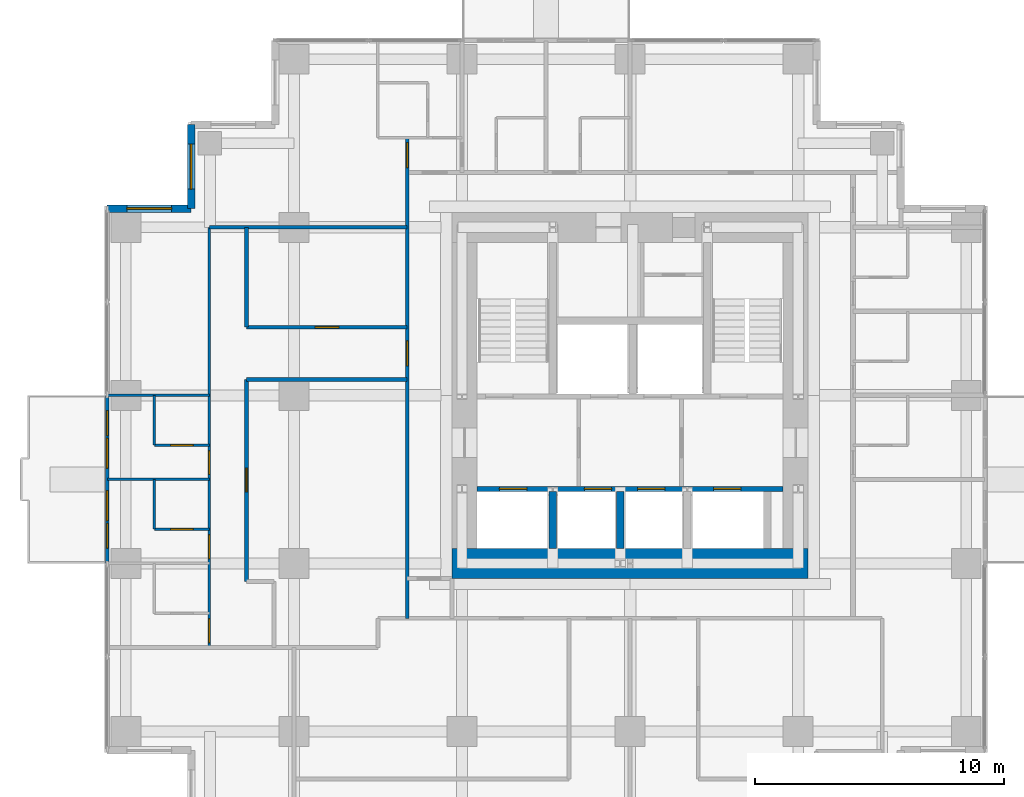
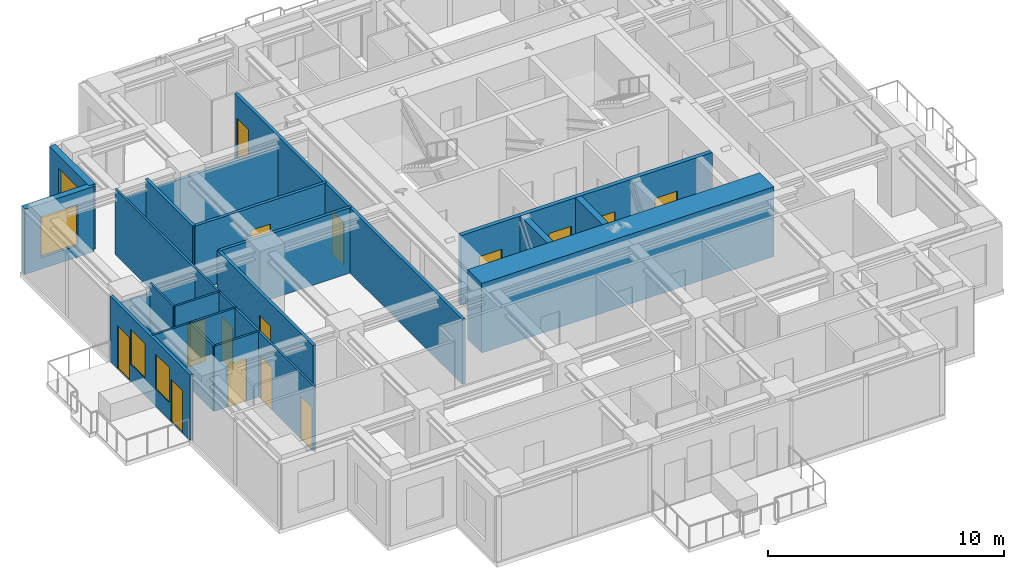
# One storey, part 6 of 10: 20 walls, 15 doors, 4 windows, 19 openings.
"""IFC4 building model written with IfcOpenShell, lengths in metres."""

from ifc_helpers import new_model, si_unit, direction, frame, frame_2d, origin, place, context, subcontext, project, spatial, rectangle, extrude, material, layer, layer_set, type_object, element, fill, save


model = new_model("IFC4")

# Units and contexts
model_context = context("Model", 3, precision=1e-05, world=origin(), true_north=direction((0.0, 1.0)))
body_context = subcontext(model_context, "Body", "Model", "MODEL_VIEW")
ifc_project = project(units=[si_unit("LENGTHUNIT", "METRE"), si_unit("AREAUNIT", "SQUARE_METRE"), si_unit("VOLUMEUNIT", "CUBIC_METRE"), si_unit("PLANEANGLEUNIT", "RADIAN"), si_unit("MASSUNIT", "GRAM", prefix="KILO")], contexts=[model_context])

# Site, building, storey
site_placement = place(None, origin())
site = spatial("IfcSite", under=ifc_project, at=site_placement, CompositionType="ELEMENT")
building_placement = place(site_placement, origin())
building = spatial("IfcBuilding", under=site, at=building_placement, Name="Nyansa Garden Tower", CompositionType="ELEMENT")
storey_placement = place(building_placement, frame((0.0, 0.0, 192.60009765625)))
storey = spatial("IfcBuildingStorey", under=building, at=storey_placement, Name="L52", CompositionType="ELEMENT", Elevation=192.60009765625)

# Wall, openings, doors, windows
ifc_material_1 = material(Name="Black aluminium framed glazed screen", Category="aluminium")
ifc_layer_1 = layer(ifc_material_1, 0.14990234375)
ifc_layer_set_1 = layer_set([ifc_layer_1], Name="Balcony screen wall BW150")
wall_type_1 = type_object("IfcWallType", Name="Balcony screen wall BW150", PredefinedType="SOLIDWALL", material=ifc_layer_set_1)
wall_1_placement = place(storey_placement, frame((-0.75, 13.5, 0.0), z_axis=(0.0, 0.0, 1.0), x_axis=(0.0, 1.0, 0.0)))
wall_1 = element("IfcWall", 1, at=wall_1_placement, inside=storey, type_object=wall_type_1, Name="Glazed screen wall L52 W", PredefinedType="SOLIDWALL", context=body_context, shape_type="SweptSolid", body=[
    extrude(rectangle(XDim=6.75, YDim=0.14990234375, at=frame_2d((3.375, 0.0))), origin(), (0.0, 0.0, 1.0), 3.375),
])
opening_1_placement = place(wall_1_placement, frame((0.612548828125, 0.0, 0.0)))
opening_1 = element("IfcOpeningElement", 2, at=opening_1_placement, cuts=wall_1, Name="Opening D20", PredefinedType="OPENING", context=body_context, shape_type="SweptSolid", body=[
    extrude(rectangle(XDim=1.0, YDim=2.199951171875, at=frame_2d((0.5, 1.10009765625))), frame((0.0, 0.0849609375, 0.0), z_axis=(0.0, -1.0, 0.0), x_axis=(1.0, 0.0, 0.0)), (0.0, 0.0, 1.0), 0.169921875),
])
opening_2_placement = place(wall_1_placement, frame((1.72509765625, 0.0, 0.89990234375)))
opening_2 = element("IfcOpeningElement", 3, at=opening_2_placement, cuts=wall_1, Name="Opening W6", PredefinedType="OPENING", context=body_context, shape_type="SweptSolid", body=[
    extrude(rectangle(XDim=1.199951171875, YDim=1.800048828125, at=frame_2d((0.60009765625, 0.89990234375))), frame((0.0, 0.0849609375, 0.0), z_axis=(0.0, -1.0, 0.0), x_axis=(1.0, 0.0, 0.0)), (0.0, 0.0, 1.0), 0.169921875),
])
opening_3_placement = place(wall_1_placement, frame((5.137451171875, 0.0, 0.0)))
opening_3 = element("IfcOpeningElement", 4, at=opening_3_placement, cuts=wall_1, Name="Opening D20", PredefinedType="OPENING", context=body_context, shape_type="SweptSolid", body=[
    extrude(rectangle(XDim=1.0, YDim=2.199951171875, at=frame_2d((0.5, 1.10009765625))), frame((0.0, 0.0849609375, 0.0), z_axis=(0.0, -1.0, 0.0), x_axis=(1.0, 0.0, 0.0)), (0.0, 0.0, 1.0), 0.169921875),
])
opening_4_placement = place(wall_1_placement, frame((3.824951171875, 0.0, 0.89990234375)))
opening_4 = element("IfcOpeningElement", 5, at=opening_4_placement, cuts=wall_1, Name="Opening W6", PredefinedType="OPENING", context=body_context, shape_type="SweptSolid", body=[
    extrude(rectangle(XDim=1.199951171875, YDim=1.800048828125, at=frame_2d((0.60009765625, 0.89990234375))), frame((0.0, 0.0849609375, 0.0), z_axis=(0.0, -1.0, 0.0), x_axis=(1.0, 0.0, 0.0)), (0.0, 0.0, 1.0), 0.169921875),
])
ifc_material_2 = material(Name="Black aluminium framed glazed door", Category="aluminium")
door_type_1 = type_object("IfcDoorType", Name="Balcony door D20 1000x2200", OperationType="NOTDEFINED", PredefinedType="DOOR", material=ifc_material_2)
door_1_placement = place(opening_1_placement, origin())
door_1 = element("IfcDoor", 6, at=door_1_placement, inside=storey, type_object=door_type_1, Name="Balcony door L52", OperationType="SINGLE_SWING_LEFT", OverallHeight=2.199951171875, OverallWidth=1.0, PredefinedType="DOOR", context=body_context, shape_type="SweptSolid", body=[
    extrude(rectangle(XDim=1.0, YDim=2.199951171875, at=frame_2d((0.5, 1.10009765625))), frame((0.0, 0.02490234375, 0.0), z_axis=(0.0, -1.0, 0.0), x_axis=(1.0, 0.0, 0.0)), (0.0, 0.0, 1.0), 0.050048828125),
])
fill(opening_1, door_1)
door_2_placement = place(opening_3_placement, origin())
door_2 = element("IfcDoor", 7, at=door_2_placement, inside=storey, type_object=door_type_1, Name="Balcony door L52", OperationType="SINGLE_SWING_RIGHT", OverallHeight=2.199951171875, OverallWidth=1.0, PredefinedType="DOOR", context=body_context, shape_type="SweptSolid", body=[
    extrude(rectangle(XDim=1.0, YDim=2.199951171875, at=frame_2d((0.5, 1.10009765625))), frame((0.0, 0.02490234375, 0.0), z_axis=(0.0, -1.0, 0.0), x_axis=(1.0, 0.0, 0.0)), (0.0, 0.0, 1.0), 0.050048828125),
])
fill(opening_3, door_2)
ifc_material_3 = material(Name="Black aluminium frame, dark tinted double glazing", Category="aluminium")
window_type_1 = type_object("IfcWindowType", Name="Balcony window W6 1200x1800", PartitioningType="SINGLE_PANEL", PredefinedType="WINDOW", material=ifc_material_3)
window_1_placement = place(opening_2_placement, origin())
window_1 = element("IfcWindow", 8, at=window_1_placement, inside=storey, type_object=window_type_1, Name="Window L52", OverallHeight=1.800048828125, OverallWidth=1.199951171875, PartitioningType="SINGLE_PANEL", PredefinedType="WINDOW", context=body_context, shape_type="SweptSolid", body=[
    extrude(rectangle(XDim=1.199951171875, YDim=1.800048828125, at=frame_2d((0.60009765625, 0.89990234375))), frame((0.0, 0.030029296875, 0.0), z_axis=(0.0, -1.0, 0.0), x_axis=(1.0, 0.0, 0.0)), (0.0, 0.0, 1.0), 0.06005859375),
])
fill(opening_2, window_1)
window_2_placement = place(opening_4_placement, origin())
window_2 = element("IfcWindow", 9, at=window_2_placement, inside=storey, type_object=window_type_1, Name="Window L52", OverallHeight=1.800048828125, OverallWidth=1.199951171875, PartitioningType="SINGLE_PANEL", PredefinedType="WINDOW", context=body_context, shape_type="SweptSolid", body=[
    extrude(rectangle(XDim=1.199951171875, YDim=1.800048828125, at=frame_2d((0.60009765625, 0.89990234375))), frame((0.0, 0.030029296875, 0.0), z_axis=(0.0, -1.0, 0.0), x_axis=(1.0, 0.0, 0.0)), (0.0, 0.0, 1.0), 0.06005859375),
])
fill(opening_4, window_2)

# Wall, openings, doors
ifc_material_4 = material(Name="Concrete C70/85", Category="concrete")
ifc_layer_2 = layer(ifc_material_4, 0.199951171875)
ifc_layer_set_2 = layer_set([ifc_layer_2], Name="Core inner wall CI200")
wall_type_2 = type_object("IfcWallType", Name="Core inner wall CI200", PredefinedType="SHEAR", material=ifc_layer_set_2)
wall_2_placement = place(storey_placement, frame((14.10009765625, 16.5, 0.0), z_axis=(0.0, 0.0, 1.0), x_axis=(1.0, 0.0, 0.0)))
wall_2 = element("IfcWall", 10, at=wall_2_placement, inside=storey, type_object=wall_type_2, Name="Core inner wall L52", PredefinedType="SHEAR", context=body_context, shape_type="SweptSolid", body=[
    extrude(rectangle(XDim=12.2998046875, YDim=0.199951171875, at=frame_2d((6.14990234375, 0.0))), origin(), (0.0, 0.0, 1.0), 3.599853515625),
])
opening_5_placement = place(wall_2_placement, frame((0.89990234375, 0.0, 0.0)))
opening_5 = element("IfcOpeningElement", 11, at=opening_5_placement, cuts=wall_2, Name="Opening LD-F", PredefinedType="OPENING", context=body_context, shape_type="SweptSolid", body=[
    extrude(rectangle(XDim=1.10009765625, YDim=2.199951171875, at=frame_2d((0.550048828125, 1.10009765625))), frame((0.0, 0.10986328125, 0.0), z_axis=(0.0, -1.0, 0.0), x_axis=(1.0, 0.0, 0.0)), (0.0, 0.0, 1.0), 0.219970703125),
])
opening_6_placement = place(wall_2_placement, frame((4.31005859375, 0.0, 0.0)))
opening_6 = element("IfcOpeningElement", 12, at=opening_6_placement, cuts=wall_2, Name="Opening LD-B", PredefinedType="OPENING", context=body_context, shape_type="SweptSolid", body=[
    extrude(rectangle(XDim=1.10009765625, YDim=2.199951171875, at=frame_2d((0.550048828125, 1.10009765625))), frame((0.0, 0.10986328125, 0.0), z_axis=(0.0, -1.0, 0.0), x_axis=(1.0, 0.0, 0.0)), (0.0, 0.0, 1.0), 0.219970703125),
])
opening_7_placement = place(wall_2_placement, frame((6.449951171875, 0.0, 0.0)))
opening_7 = element("IfcOpeningElement", 13, at=opening_7_placement, cuts=wall_2, Name="Opening LD-B", PredefinedType="OPENING", context=body_context, shape_type="SweptSolid", body=[
    extrude(rectangle(XDim=1.10009765625, YDim=2.199951171875, at=frame_2d((0.550048828125, 1.10009765625))), frame((0.0, 0.10986328125, 0.0), z_axis=(0.0, -1.0, 0.0), x_axis=(1.0, 0.0, 0.0)), (0.0, 0.0, 1.0), 0.219970703125),
])
opening_8_placement = place(wall_2_placement, frame((9.5, 0.0, 0.0)))
opening_8 = element("IfcOpeningElement", 14, at=opening_8_placement, cuts=wall_2, Name="Opening LD-F", PredefinedType="OPENING", context=body_context, shape_type="SweptSolid", body=[
    extrude(rectangle(XDim=1.10009765625, YDim=2.199951171875, at=frame_2d((0.550048828125, 1.10009765625))), frame((0.0, 0.10986328125, 0.0), z_axis=(0.0, -1.0, 0.0), x_axis=(1.0, 0.0, 0.0)), (0.0, 0.0, 1.0), 0.219970703125),
])
ifc_material_5 = material(Name="Stainless steel centre-opening landing door of the high-rise lift, E 120", Category="steel")
door_type_2 = type_object("IfcDoorType", Name="Lift landing door LD-B 1100x2200", OperationType="DOUBLE_DOOR_SLIDING", PredefinedType="DOOR", material=ifc_material_5)
door_3_placement = place(opening_6_placement, origin())
door_3 = element("IfcDoor", 15, at=door_3_placement, inside=storey, type_object=door_type_2, Name="Landing door B1", OperationType="DOUBLE_DOOR_SLIDING", OverallHeight=2.199951171875, OverallWidth=1.10009765625, PredefinedType="DOOR", context=body_context, shape_type="SweptSolid", body=[
    extrude(rectangle(XDim=1.10009765625, YDim=2.199951171875, at=frame_2d((0.550048828125, 1.10009765625))), frame((0.0, 0.02490234375, 0.0), z_axis=(0.0, -1.0, 0.0), x_axis=(1.0, 0.0, 0.0)), (0.0, 0.0, 1.0), 0.050048828125),
])
fill(opening_6, door_3)
door_4_placement = place(opening_7_placement, origin())
door_4 = element("IfcDoor", 16, at=door_4_placement, inside=storey, type_object=door_type_2, Name="Landing door B2", OperationType="DOUBLE_DOOR_SLIDING", OverallHeight=2.199951171875, OverallWidth=1.10009765625, PredefinedType="DOOR", context=body_context, shape_type="SweptSolid", body=[
    extrude(rectangle(XDim=1.10009765625, YDim=2.199951171875, at=frame_2d((0.550048828125, 1.10009765625))), frame((0.0, 0.02490234375, 0.0), z_axis=(0.0, -1.0, 0.0), x_axis=(1.0, 0.0, 0.0)), (0.0, 0.0, 1.0), 0.050048828125),
])
fill(opening_7, door_4)
ifc_material_6 = material(Name="Stainless steel centre-opening landing door of the firefighting lift, EN 81-72, E 120", Category="steel")
door_type_3 = type_object("IfcDoorType", Name="Lift landing door LD-F 1100x2200", OperationType="DOUBLE_DOOR_SLIDING", PredefinedType="DOOR", material=ifc_material_6)
door_5_placement = place(opening_5_placement, origin())
door_5 = element("IfcDoor", 17, at=door_5_placement, inside=storey, type_object=door_type_3, Name="Landing door FF1", OperationType="DOUBLE_DOOR_SLIDING", OverallHeight=2.199951171875, OverallWidth=1.10009765625, PredefinedType="DOOR", context=body_context, shape_type="SweptSolid", body=[
    extrude(rectangle(XDim=1.10009765625, YDim=2.199951171875, at=frame_2d((0.550048828125, 1.10009765625))), frame((0.0, 0.02490234375, 0.0), z_axis=(0.0, -1.0, 0.0), x_axis=(1.0, 0.0, 0.0)), (0.0, 0.0, 1.0), 0.050048828125),
])
fill(opening_5, door_5)
door_6_placement = place(opening_8_placement, origin())
door_6 = element("IfcDoor", 18, at=door_6_placement, inside=storey, type_object=door_type_3, Name="Landing door FF2", OperationType="DOUBLE_DOOR_SLIDING", OverallHeight=2.199951171875, OverallWidth=1.10009765625, PredefinedType="DOOR", context=body_context, shape_type="SweptSolid", body=[
    extrude(rectangle(XDim=1.10009765625, YDim=2.199951171875, at=frame_2d((0.550048828125, 1.10009765625))), frame((0.0, 0.02490234375, 0.0), z_axis=(0.0, -1.0, 0.0), x_axis=(1.0, 0.0, 0.0)), (0.0, 0.0, 1.0), 0.050048828125),
])
fill(opening_8, door_6)

# Walls
ifc_material_7 = material(Name="Concrete C70/85", Category="concrete")
ifc_layer_3 = layer(ifc_material_7, 0.300048828125)
ifc_layer_set_3 = layer_set([ifc_layer_3], Name="Core inner wall CI300")
wall_type_3 = type_object("IfcWallType", Name="Core inner wall CI300", PredefinedType="SHEAR", material=ifc_layer_set_3)
for number, where, z_axis, x_axis, name in (
    (19, (17.14990234375, 14.10009765625, 0.0), (0.0, 0.0, 1.0), (0.0, 1.0, 0.0), "Core inner wall L52"),
    (20, (19.85009765625, 14.10009765625, 0.0), (0.0, 0.0, 1.0), (0.0, 1.0, 0.0), "Core inner wall L52"),
):
    element("IfcWall", number, at=place(storey_placement, frame(where, z_axis=z_axis, x_axis=x_axis)), inside=storey, type_object=wall_type_3, Name=name, PredefinedType="SHEAR", context=body_context, shape_type="SweptSolid", body=[
        extrude(rectangle(XDim=2.2998046875, YDim=0.300048828125, at=frame_2d((1.14990234375, 0.0))), origin(), (0.0, 0.0, 1.0), 3.599853515625),
    ])
ifc_material_8 = material(Name="Concrete C80/95", Category="concrete")
ifc_layer_4 = layer(ifc_material_8, 1.199951171875)
ifc_layer_set_4 = layer_set([ifc_layer_4], Name="Core wall CW1200")
wall_type_4 = type_object("IfcWallType", Name="Core wall CW1200", PredefinedType="SHEAR", material=ifc_layer_set_4)
wall_3_placement = place(storey_placement, frame((13.10009765625, 13.5, 0.0), z_axis=(0.0, 0.0, 1.0), x_axis=(1.0, 0.0, 0.0)))
element("IfcWall", 21, at=wall_3_placement, inside=storey, type_object=wall_type_4, Name="Core wall S L52", PredefinedType="SHEAR", context=body_context, shape_type="SweptSolid", body=[
    extrude(rectangle(XDim=14.2998046875, YDim=1.199951171875, at=frame_2d((7.14990234375, 0.0))), origin(), (0.0, 0.0, 1.0), 3.599853515625),
])
ifc_material_9 = material(Name="Blockwork, plastered both sides", Category="masonry")
ifc_layer_5 = layer(ifc_material_9, 0.14990234375)
ifc_layer_set_5 = layer_set([ifc_layer_5], Name="Partition PW150")
wall_type_5 = type_object("IfcWallType", Name="Partition PW150", PredefinedType="PARTITIONING", material=ifc_layer_set_5)
wall_4_placement = place(storey_placement, frame((3.35009765625, 27.0, 0.0), z_axis=(0.0, 0.0, 1.0), x_axis=(1.0, 0.0, 0.0)))
element("IfcWall", 22, at=wall_4_placement, inside=storey, type_object=wall_type_5, Name="Partition", PredefinedType="PARTITIONING", context=body_context, shape_type="SweptSolid", body=[
    extrude(rectangle(XDim=7.949951171875, YDim=0.14990234375, at=frame_2d((3.97509765625, 0.0))), origin(), (0.0, 0.0, 1.0), 2.805908203125),
])

# Wall, opening, door
wall_5_placement = place(storey_placement, frame((4.85009765625, 12.77490234375, 0.0), z_axis=(0.0, 0.0, 1.0), x_axis=(0.0, 1.0, 0.0)))
wall_5 = element("IfcWall", 23, at=wall_5_placement, inside=storey, type_object=wall_type_5, Name="Partition", PredefinedType="PARTITIONING", context=body_context, shape_type="SweptSolid", body=[
    extrude(rectangle(XDim=8.112548828125, YDim=0.14990234375, at=frame_2d((4.05615234375, 0.0))), origin(), (0.0, 0.0, 1.0), 3.375),
])
opening_9_placement = place(wall_5_placement, frame((3.60009765625, 0.0, 0.0)))
opening_9 = element("IfcOpeningElement", 24, at=opening_9_placement, cuts=wall_5, Name="Opening D01", PredefinedType="OPENING", context=body_context, shape_type="SweptSolid", body=[
    extrude(rectangle(XDim=0.949951171875, YDim=2.199951171875, at=frame_2d((0.47509765625, 1.10009765625))), frame((0.0, 0.0849609375, 0.0), z_axis=(0.0, -1.0, 0.0), x_axis=(1.0, 0.0, 0.0)), (0.0, 0.0, 1.0), 0.169921875),
])
ifc_material_10 = material(Name="Timber flush door, 30 minute fire resisting", Category="wood")
door_type_4 = type_object("IfcDoorType", Name="Bedroom door D01 950x2200", OperationType="SINGLE_SWING_LEFT", PredefinedType="DOOR", material=ifc_material_10)
door_7_placement = place(opening_9_placement, origin())
door_7 = element("IfcDoor", 25, at=door_7_placement, inside=storey, type_object=door_type_4, Name="Door L52-053", OperationType="SINGLE_SWING_LEFT", OverallHeight=2.199951171875, OverallWidth=0.949951171875, PredefinedType="DOOR", context=body_context, shape_type="SweptSolid", body=[
    extrude(rectangle(XDim=0.949951171875, YDim=2.199951171875, at=frame_2d((0.47509765625, 1.10009765625))), frame((0.0, 0.02490234375, 0.0), z_axis=(0.0, -1.0, 0.0), x_axis=(1.0, 0.0, 0.0)), (0.0, 0.0, 1.0), 0.050048828125),
])
fill(opening_9, door_7)

# Walls
wall_6_placement = place(storey_placement, frame((4.85009765625, 20.886962890625, 0.0), z_axis=(0.0, 0.0, 1.0), x_axis=(1.0, 0.0, 0.0)))
element("IfcWall", 26, at=wall_6_placement, inside=storey, type_object=wall_type_5, Name="Partition", PredefinedType="PARTITIONING", context=body_context, shape_type="SweptSolid", body=[
    extrude(rectangle(XDim=6.449951171875, YDim=0.14990234375, at=frame_2d((3.22509765625, 0.0))), origin(), (0.0, 0.0, 1.0), 3.375),
])
wall_7_placement = place(storey_placement, frame((4.85009765625, 22.987548828125, 0.0), z_axis=(0.0, 0.0, 1.0), x_axis=(0.0, 1.0, 0.0)))
element("IfcWall", 27, at=wall_7_placement, inside=storey, type_object=wall_type_5, Name="Partition", PredefinedType="PARTITIONING", context=body_context, shape_type="SweptSolid", body=[
    extrude(rectangle(XDim=4.012451171875, YDim=0.14990234375, at=frame_2d((2.00634765625, 0.0))), origin(), (0.0, 0.0, 1.0), 3.375),
])

# Wall, opening, door
wall_8_placement = place(storey_placement, frame((4.85009765625, 22.988037109375, 0.0), z_axis=(0.0, 0.0, 1.0), x_axis=(1.0, 0.0, 0.0)))
wall_8 = element("IfcWall", 28, at=wall_8_placement, inside=storey, type_object=wall_type_5, Name="Partition", PredefinedType="PARTITIONING", context=body_context, shape_type="SweptSolid", body=[
    extrude(rectangle(XDim=6.449951171875, YDim=0.14990234375, at=frame_2d((3.22509765625, 0.0))), origin(), (0.0, 0.0, 1.0), 3.375),
])
opening_10_placement = place(wall_8_placement, frame((2.75, 0.0, 0.0)))
opening_10 = element("IfcOpeningElement", 29, at=opening_10_placement, cuts=wall_8, Name="Opening D01", PredefinedType="OPENING", context=body_context, shape_type="SweptSolid", body=[
    extrude(rectangle(XDim=0.949951171875, YDim=2.199951171875, at=frame_2d((0.47509765625, 1.10009765625))), frame((0.0, 0.0849609375, 0.0), z_axis=(0.0, -1.0, 0.0), x_axis=(1.0, 0.0, 0.0)), (0.0, 0.0, 1.0), 0.169921875),
])
door_8_placement = place(opening_10_placement, origin())
door_8 = element("IfcDoor", 30, at=door_8_placement, inside=storey, type_object=door_type_4, Name="Door L52-054", OperationType="SINGLE_SWING_LEFT", OverallHeight=2.199951171875, OverallWidth=0.949951171875, PredefinedType="DOOR", context=body_context, shape_type="SweptSolid", body=[
    extrude(rectangle(XDim=0.949951171875, YDim=2.199951171875, at=frame_2d((0.47509765625, 1.10009765625))), frame((0.0, 0.02490234375, 0.0), z_axis=(0.0, -1.0, 0.0), x_axis=(1.0, 0.0, 0.0)), (0.0, 0.0, 1.0), 0.050048828125),
])
fill(opening_10, door_8)

# Wall, openings, doors
wall_9_placement = place(storey_placement, frame((11.300048828125, 11.300048828125, 0.0), z_axis=(0.0, 0.0, 1.0), x_axis=(0.0, 1.0, 0.0)))
wall_9 = element("IfcWall", 31, at=wall_9_placement, inside=storey, type_object=wall_type_5, Name="Partition", PredefinedType="PARTITIONING", context=body_context, shape_type="SweptSolid", body=[
    extrude(rectangle(XDim=19.300048828125, YDim=0.14990234375, at=frame_2d((9.64990234375, 0.0))), origin(), (0.0, 0.0, 1.0), 3.375),
])
opening_11_placement = place(wall_9_placement, frame((18.10009765625, 0.0, 0.0)))
opening_11 = element("IfcOpeningElement", 32, at=opening_11_placement, cuts=wall_9, Name="Opening D03", PredefinedType="OPENING", context=body_context, shape_type="SweptSolid", body=[
    extrude(rectangle(XDim=1.0, YDim=2.199951171875, at=frame_2d((0.5, 1.10009765625))), frame((0.0, 0.0849609375, 0.0), z_axis=(0.0, -1.0, 0.0), x_axis=(1.0, 0.0, 0.0)), (0.0, 0.0, 1.0), 0.169921875),
])
opening_12_placement = place(wall_9_placement, frame((10.137451171875, 0.0, 0.0)))
opening_12 = element("IfcOpeningElement", 33, at=opening_12_placement, cuts=wall_9, Name="Opening D03", PredefinedType="OPENING", context=body_context, shape_type="SweptSolid", body=[
    extrude(rectangle(XDim=1.0, YDim=2.199951171875, at=frame_2d((0.5, 1.10009765625))), frame((0.0, 0.0849609375, 0.0), z_axis=(0.0, -1.0, 0.0), x_axis=(1.0, 0.0, 0.0)), (0.0, 0.0, 1.0), 0.169921875),
])
ifc_material_11 = material(Name="Timber flush door, 60 minute fire resisting", Category="wood")
door_type_5 = type_object("IfcDoorType", Name="Cluster entrance door D03 1000x2200", OperationType="SINGLE_SWING_LEFT", PredefinedType="DOOR", material=ifc_material_11)
door_9_placement = place(opening_11_placement, origin())
door_9 = element("IfcDoor", 34, at=door_9_placement, inside=storey, type_object=door_type_5, Name="Door L52-045", OperationType="SINGLE_SWING_LEFT", OverallHeight=2.199951171875, OverallWidth=1.0, PredefinedType="DOOR", context=body_context, shape_type="SweptSolid", body=[
    extrude(rectangle(XDim=1.0, YDim=2.199951171875, at=frame_2d((0.5, 1.10009765625))), frame((0.0, 0.02490234375, 0.0), z_axis=(0.0, -1.0, 0.0), x_axis=(1.0, 0.0, 0.0)), (0.0, 0.0, 1.0), 0.050048828125),
])
fill(opening_11, door_9)
door_10_placement = place(opening_12_placement, origin())
door_10 = element("IfcDoor", 35, at=door_10_placement, inside=storey, type_object=door_type_5, Name="Door L52-052", OperationType="SINGLE_SWING_LEFT", OverallHeight=2.199951171875, OverallWidth=1.0, PredefinedType="DOOR", context=body_context, shape_type="SweptSolid", body=[
    extrude(rectangle(XDim=1.0, YDim=2.199951171875, at=frame_2d((0.5, 1.10009765625))), frame((0.0, 0.02490234375, 0.0), z_axis=(0.0, -1.0, 0.0), x_axis=(1.0, 0.0, 0.0)), (0.0, 0.0, 1.0), 0.050048828125),
])
fill(opening_12, door_10)

# Wall, opening, window
ifc_material_12 = material(Name="Turquoise glazed tile on concrete blockwork", Category="masonry")
ifc_layer_6 = layer(ifc_material_12, 0.300048828125)
ifc_layer_set_6 = layer_set([ifc_layer_6], Name="Tiled corner wall TW300")
wall_type_6 = type_object("IfcWallType", Name="Tiled corner wall TW300", PredefinedType="SOLIDWALL", material=ifc_layer_set_6)
wall_10_placement = place(storey_placement, frame((2.625, 31.125, 0.0), z_axis=(0.0, 0.0, 1.0), x_axis=(0.0, -1.0, 0.0)))
wall_10 = element("IfcWall", 36, at=wall_10_placement, inside=storey, type_object=wall_type_6, Name="Tiled corner wall L52", PredefinedType="SOLIDWALL", context=body_context, shape_type="SweptSolid", body=[
    extrude(rectangle(XDim=3.375, YDim=0.300048828125, at=frame_2d((1.6875, 0.0))), origin(), (0.0, 0.0, 1.0), 3.375),
])
opening_13_placement = place(wall_10_placement, frame((0.78759765625, 0.0, 0.60009765625)))
opening_13 = element("IfcOpeningElement", 37, at=opening_13_placement, cuts=wall_10, Name="Opening W2", PredefinedType="OPENING", context=body_context, shape_type="SweptSolid", body=[
    extrude(rectangle(XDim=1.800048828125, YDim=2.10009765625, at=frame_2d((0.89990234375, 1.050048828125))), frame((0.0, 0.159912109375, 0.0), z_axis=(0.0, -1.0, 0.0), x_axis=(1.0, 0.0, 0.0)), (0.0, 0.0, 1.0), 0.320068359375),
])
ifc_material_13 = material(Name="Black aluminium frame, dark tinted double glazing", Category="aluminium")
window_type_2 = type_object("IfcWindowType", Name="Window W2 1800x2100", PartitioningType="SINGLE_PANEL", PredefinedType="WINDOW", material=ifc_material_13)
window_3_placement = place(opening_13_placement, origin())
window_3 = element("IfcWindow", 38, at=window_3_placement, inside=storey, type_object=window_type_2, Name="Corner window L52", OverallHeight=2.10009765625, OverallWidth=1.800048828125, PartitioningType="SINGLE_PANEL", PredefinedType="WINDOW", context=body_context, shape_type="SweptSolid", body=[
    extrude(rectangle(XDim=1.800048828125, YDim=2.10009765625, at=frame_2d((0.89990234375, 1.050048828125))), frame((0.0, 0.030029296875, 0.0), z_axis=(0.0, -1.0, 0.0), x_axis=(1.0, 0.0, 0.0)), (0.0, 0.0, 1.0), 0.06005859375),
])
fill(opening_13, window_3)

wall_11_placement = place(storey_placement, frame((2.625, 27.75, 0.0), z_axis=(0.0, 0.0, 1.0), x_axis=(-1.0, 0.0, 0.0)))
wall_11 = element("IfcWall", 39, at=wall_11_placement, inside=storey, type_object=wall_type_6, Name="Tiled corner wall L52", PredefinedType="SOLIDWALL", context=body_context, shape_type="SweptSolid", body=[
    extrude(rectangle(XDim=3.375, YDim=0.300048828125, at=frame_2d((1.6875, 0.0))), origin(), (0.0, 0.0, 1.0), 3.375),
])
opening_14_placement = place(wall_11_placement, frame((0.78759765625, 0.0, 0.60009765625)))
opening_14 = element("IfcOpeningElement", 40, at=opening_14_placement, cuts=wall_11, Name="Opening W2", PredefinedType="OPENING", context=body_context, shape_type="SweptSolid", body=[
    extrude(rectangle(XDim=1.800048828125, YDim=2.10009765625, at=frame_2d((0.89990234375, 1.050048828125))), frame((0.0, 0.159912109375, 0.0), z_axis=(0.0, -1.0, 0.0), x_axis=(1.0, 0.0, 0.0)), (0.0, 0.0, 1.0), 0.320068359375),
])
window_4_placement = place(opening_14_placement, origin())
window_4 = element("IfcWindow", 41, at=window_4_placement, inside=storey, type_object=window_type_2, Name="Corner window L52", OverallHeight=2.10009765625, OverallWidth=1.800048828125, PartitioningType="SINGLE_PANEL", PredefinedType="WINDOW", context=body_context, shape_type="SweptSolid", body=[
    extrude(rectangle(XDim=1.800048828125, YDim=2.10009765625, at=frame_2d((0.89990234375, 1.050048828125))), frame((0.0, 0.030029296875, 0.0), z_axis=(0.0, -1.0, 0.0), x_axis=(1.0, 0.0, 0.0)), (0.0, 0.0, 1.0), 0.06005859375),
])
fill(opening_14, window_4)

# Walls
ifc_material_14 = material(Name="Moisture resistant board on steel studs, tiled", Category="steel")
ifc_layer_7 = layer(ifc_material_14, 0.10009765625)
ifc_layer_set_7 = layer_set([ifc_layer_7], Name="Wet wall PW100")
wall_type_7 = type_object("IfcWallType", Name="Wet wall PW100", PredefinedType="PARTITIONING", material=ifc_layer_set_7)
wall_12_placement = place(storey_placement, frame((-0.73388671875, 16.875, 0.0), z_axis=(0.0, 0.0, 1.0), x_axis=(1.0, 0.0, 0.0)))
element("IfcWall", 42, at=wall_12_placement, inside=storey, type_object=wall_type_7, Name="Wet wall", PredefinedType="PARTITIONING", context=body_context, shape_type="SweptSolid", body=[
    extrude(rectangle(XDim=4.083984375, YDim=0.10009765625, at=frame_2d((2.0419921875, 0.0))), origin(), (0.0, 0.0, 1.0), 3.375),
])
wall_13_placement = place(storey_placement, frame((-0.73388671875, 20.25, 0.0), z_axis=(0.0, 0.0, 1.0), x_axis=(1.0, 0.0, 0.0)))
element("IfcWall", 43, at=wall_13_placement, inside=storey, type_object=wall_type_7, Name="Wet wall", PredefinedType="PARTITIONING", context=body_context, shape_type="SweptSolid", body=[
    extrude(rectangle(XDim=4.083984375, YDim=0.10009765625, at=frame_2d((2.0419921875, 0.0))), origin(), (0.0, 0.0, 1.0), 2.876953125),
])
wall_14_placement = place(storey_placement, frame((1.14990234375, 14.875, 0.0), z_axis=(0.0, 0.0, 1.0), x_axis=(0.0, 1.0, 0.0)))
element("IfcWall", 44, at=wall_14_placement, inside=storey, type_object=wall_type_7, Name="Wet wall", PredefinedType="PARTITIONING", context=body_context, shape_type="SweptSolid", body=[
    extrude(rectangle(XDim=2.0, YDim=0.10009765625, at=frame_2d((1.0, 0.0))), origin(), (0.0, 0.0, 1.0), 3.375),
])

# Wall, opening, door
wall_15_placement = place(storey_placement, frame((1.14990234375, 14.875, 0.0), z_axis=(0.0, 0.0, 1.0), x_axis=(1.0, 0.0, 0.0)))
wall_15 = element("IfcWall", 45, at=wall_15_placement, inside=storey, type_object=wall_type_7, Name="Wet wall", PredefinedType="PARTITIONING", context=body_context, shape_type="SweptSolid", body=[
    extrude(rectangle(XDim=2.2001953125, YDim=0.10009765625, at=frame_2d((1.10009765625, 0.0))), origin(), (0.0, 0.0, 1.0), 3.375),
])
opening_15_placement = place(wall_15_placement, frame((0.64990234375, 0.0, 0.0)))
opening_15 = element("IfcOpeningElement", 46, at=opening_15_placement, cuts=wall_15, Name="Opening D02", PredefinedType="OPENING", context=body_context, shape_type="SweptSolid", body=[
    extrude(rectangle(XDim=0.89990234375, YDim=2.199951171875, at=frame_2d((0.449951171875, 1.10009765625))), frame((0.0, 0.06005859375, 0.0), z_axis=(0.0, -1.0, 0.0), x_axis=(1.0, 0.0, 0.0)), (0.0, 0.0, 1.0), 0.1201171875),
])
ifc_material_15 = material(Name="Timber flush door", Category="wood")
door_type_6 = type_object("IfcDoorType", Name="En-suite door D02 900x2200", OperationType="SINGLE_SWING_RIGHT", PredefinedType="DOOR", material=ifc_material_15)
door_11_placement = place(opening_15_placement, origin())
door_11 = element("IfcDoor", 47, at=door_11_placement, inside=storey, type_object=door_type_6, Name="Door L52-049", OperationType="SINGLE_SWING_RIGHT", OverallHeight=2.199951171875, OverallWidth=0.89990234375, PredefinedType="DOOR", context=body_context, shape_type="SweptSolid", body=[
    extrude(rectangle(XDim=0.89990234375, YDim=2.199951171875, at=frame_2d((0.449951171875, 1.10009765625))), frame((0.0, 0.02490234375, 0.0), z_axis=(0.0, -1.0, 0.0), x_axis=(1.0, 0.0, 0.0)), (0.0, 0.0, 1.0), 0.050048828125),
])
fill(opening_15, door_11)

# Wall
wall_16_placement = place(storey_placement, frame((1.14990234375, 18.25, 0.0), z_axis=(0.0, 0.0, 1.0), x_axis=(0.0, 1.0, 0.0)))
element("IfcWall", 48, at=wall_16_placement, inside=storey, type_object=wall_type_7, Name="Wet wall", PredefinedType="PARTITIONING", context=body_context, shape_type="SweptSolid", body=[
    extrude(rectangle(XDim=2.0, YDim=0.10009765625, at=frame_2d((1.0, 0.0))), origin(), (0.0, 0.0, 1.0), 3.375),
])

# Wall, opening, door
wall_17_placement = place(storey_placement, frame((1.14990234375, 18.25, 0.0), z_axis=(0.0, 0.0, 1.0), x_axis=(1.0, 0.0, 0.0)))
wall_17 = element("IfcWall", 49, at=wall_17_placement, inside=storey, type_object=wall_type_7, Name="Wet wall", PredefinedType="PARTITIONING", context=body_context, shape_type="SweptSolid", body=[
    extrude(rectangle(XDim=2.2001953125, YDim=0.10009765625, at=frame_2d((1.10009765625, 0.0))), origin(), (0.0, 0.0, 1.0), 3.375),
])
opening_16_placement = place(wall_17_placement, frame((0.64990234375, 0.0, 0.0)))
opening_16 = element("IfcOpeningElement", 50, at=opening_16_placement, cuts=wall_17, Name="Opening D02", PredefinedType="OPENING", context=body_context, shape_type="SweptSolid", body=[
    extrude(rectangle(XDim=0.89990234375, YDim=2.199951171875, at=frame_2d((0.449951171875, 1.10009765625))), frame((0.0, 0.06005859375, 0.0), z_axis=(0.0, -1.0, 0.0), x_axis=(1.0, 0.0, 0.0)), (0.0, 0.0, 1.0), 0.1201171875),
])
door_12_placement = place(opening_16_placement, origin())
door_12 = element("IfcDoor", 51, at=door_12_placement, inside=storey, type_object=door_type_6, Name="Door L52-051", OperationType="SINGLE_SWING_RIGHT", OverallHeight=2.199951171875, OverallWidth=0.89990234375, PredefinedType="DOOR", context=body_context, shape_type="SweptSolid", body=[
    extrude(rectangle(XDim=0.89990234375, YDim=2.199951171875, at=frame_2d((0.449951171875, 1.10009765625))), frame((0.0, 0.02490234375, 0.0), z_axis=(0.0, -1.0, 0.0), x_axis=(1.0, 0.0, 0.0)), (0.0, 0.0, 1.0), 0.050048828125),
])
fill(opening_16, door_12)

# Wall, openings, doors
wall_18_placement = place(storey_placement, frame((3.35009765625, 10.125, 0.0), z_axis=(0.0, 0.0, 1.0), x_axis=(0.0, 1.0, 0.0)))
wall_18 = element("IfcWall", 52, at=wall_18_placement, inside=storey, type_object=wall_type_7, Name="Wet wall", PredefinedType="PARTITIONING", context=body_context, shape_type="SweptSolid", body=[
    extrude(rectangle(XDim=16.875, YDim=0.10009765625, at=frame_2d((8.4375, 0.0))), origin(), (0.0, 0.0, 1.0), 3.375),
])
opening_17_placement = place(wall_18_placement, frame((0.199951171875, 0.0, 0.0)))
opening_17 = element("IfcOpeningElement", 53, at=opening_17_placement, cuts=wall_18, Name="Opening D14", PredefinedType="OPENING", context=body_context, shape_type="SweptSolid", body=[
    extrude(rectangle(XDim=0.949951171875, YDim=2.199951171875, at=frame_2d((0.47509765625, 1.10009765625))), frame((0.0, 0.06005859375, 0.0), z_axis=(0.0, -1.0, 0.0), x_axis=(1.0, 0.0, 0.0)), (0.0, 0.0, 1.0), 0.1201171875),
])
opening_18_placement = place(wall_18_placement, frame((3.574951171875, 0.0, 0.0)))
opening_18 = element("IfcOpeningElement", 54, at=opening_18_placement, cuts=wall_18, Name="Opening D14", PredefinedType="OPENING", context=body_context, shape_type="SweptSolid", body=[
    extrude(rectangle(XDim=0.949951171875, YDim=2.199951171875, at=frame_2d((0.47509765625, 1.10009765625))), frame((0.0, 0.06005859375, 0.0), z_axis=(0.0, -1.0, 0.0), x_axis=(1.0, 0.0, 0.0)), (0.0, 0.0, 1.0), 0.1201171875),
])
opening_19_placement = place(wall_18_placement, frame((6.949951171875, 0.0, 0.0)))
opening_19 = element("IfcOpeningElement", 55, at=opening_19_placement, cuts=wall_18, Name="Opening D14", PredefinedType="OPENING", context=body_context, shape_type="SweptSolid", body=[
    extrude(rectangle(XDim=0.949951171875, YDim=2.199951171875, at=frame_2d((0.47509765625, 1.10009765625))), frame((0.0, 0.06005859375, 0.0), z_axis=(0.0, -1.0, 0.0), x_axis=(1.0, 0.0, 0.0)), (0.0, 0.0, 1.0), 0.1201171875),
])
ifc_material_16 = material(Name="Timber flush door, 60 minute fire resisting, self-closing", Category="wood")
door_type_7 = type_object("IfcDoorType", Name="Studio entrance door D14 950x2200", OperationType="SINGLE_SWING_LEFT", PredefinedType="DOOR", material=ifc_material_16)
door_13_placement = place(opening_17_placement, origin())
door_13 = element("IfcDoor", 56, at=door_13_placement, inside=storey, type_object=door_type_7, Name="Door L52-046", OperationType="SINGLE_SWING_LEFT", OverallHeight=2.199951171875, OverallWidth=0.949951171875, PredefinedType="DOOR", context=body_context, shape_type="SweptSolid", body=[
    extrude(rectangle(XDim=0.949951171875, YDim=2.199951171875, at=frame_2d((0.47509765625, 1.10009765625))), frame((0.0, 0.02490234375, 0.0), z_axis=(0.0, -1.0, 0.0), x_axis=(1.0, 0.0, 0.0)), (0.0, 0.0, 1.0), 0.050048828125),
])
fill(opening_17, door_13)
door_14_placement = place(opening_18_placement, origin())
door_14 = element("IfcDoor", 57, at=door_14_placement, inside=storey, type_object=door_type_7, Name="Door L52-048", OperationType="SINGLE_SWING_LEFT", OverallHeight=2.199951171875, OverallWidth=0.949951171875, PredefinedType="DOOR", context=body_context, shape_type="SweptSolid", body=[
    extrude(rectangle(XDim=0.949951171875, YDim=2.199951171875, at=frame_2d((0.47509765625, 1.10009765625))), frame((0.0, 0.02490234375, 0.0), z_axis=(0.0, -1.0, 0.0), x_axis=(1.0, 0.0, 0.0)), (0.0, 0.0, 1.0), 0.050048828125),
])
fill(opening_18, door_14)
door_15_placement = place(opening_19_placement, origin())
door_15 = element("IfcDoor", 58, at=door_15_placement, inside=storey, type_object=door_type_7, Name="Door L52-050", OperationType="SINGLE_SWING_LEFT", OverallHeight=2.199951171875, OverallWidth=0.949951171875, PredefinedType="DOOR", context=body_context, shape_type="SweptSolid", body=[
    extrude(rectangle(XDim=0.949951171875, YDim=2.199951171875, at=frame_2d((0.47509765625, 1.10009765625))), frame((0.0, 0.02490234375, 0.0), z_axis=(0.0, -1.0, 0.0), x_axis=(1.0, 0.0, 0.0)), (0.0, 0.0, 1.0), 0.050048828125),
])
fill(opening_19, door_15)

save(model, "model.ifc")
